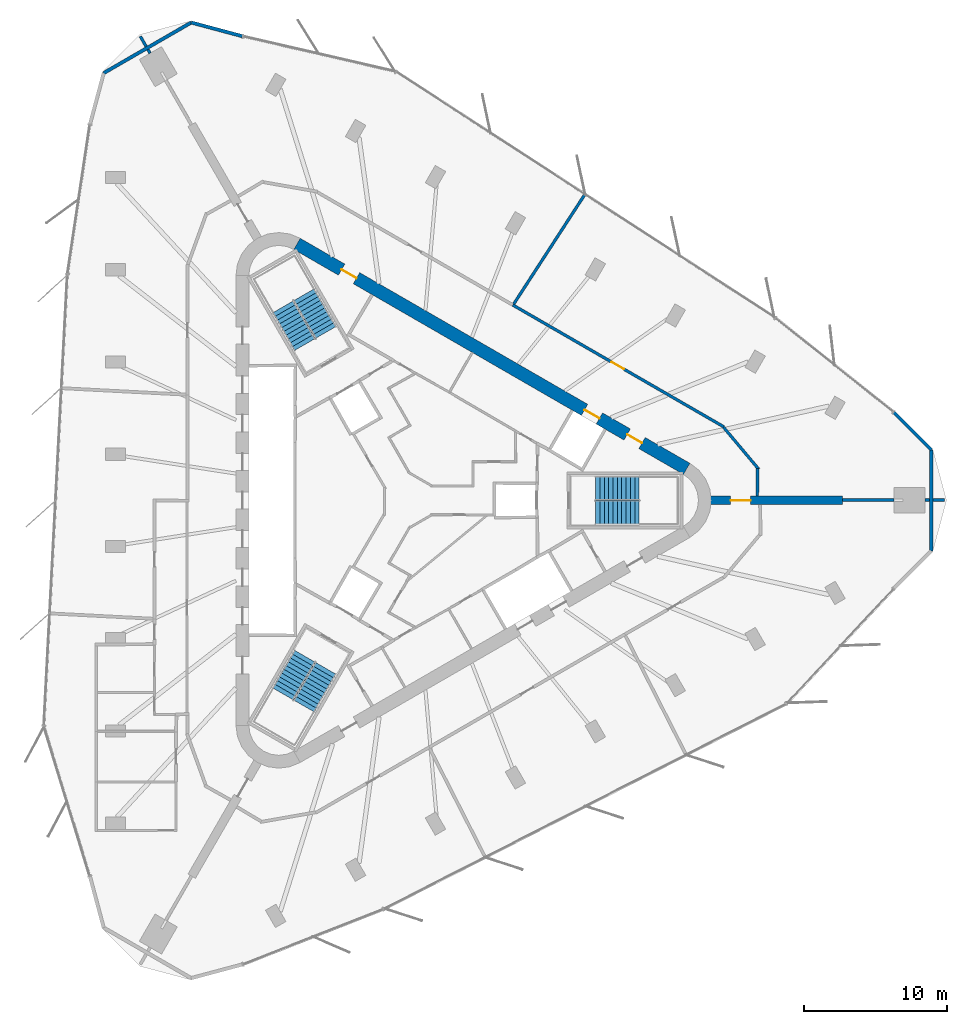
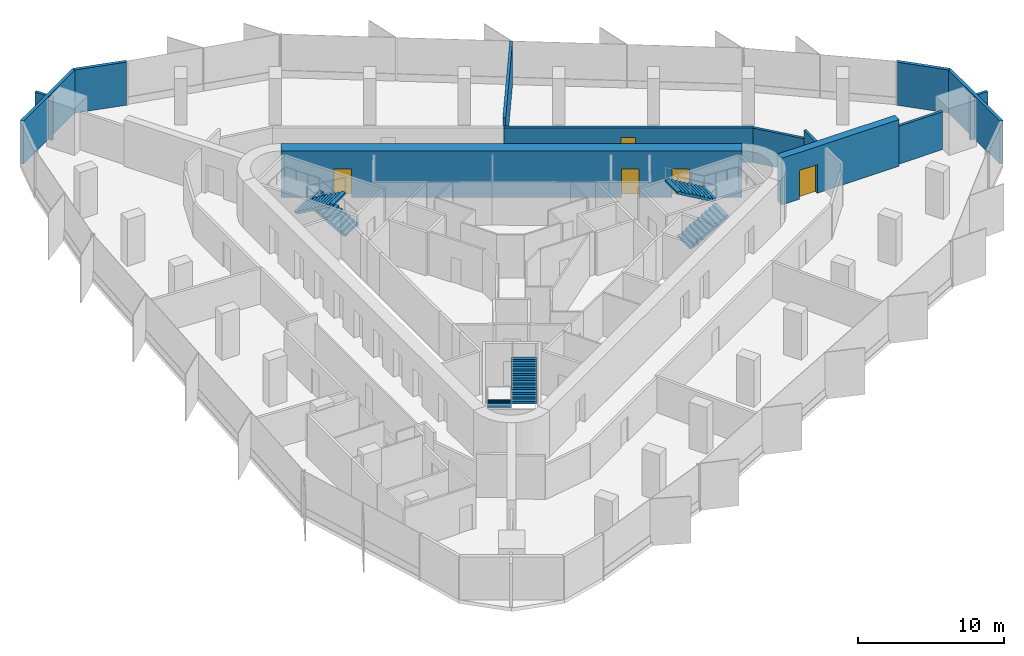
# One storey, part 12 of 13: 15 walls, 6 stair flights, 5 doors, 5 openings, 3 elements without a shape of their own.
"""IFC4 building model written with IfcOpenShell, lengths in metres."""

from ifc_helpers import new_model, si_unit, direction, frame, frame_2d, origin, place, context, subcontext, project, spatial, polyline, rectangle, outline, extrude, material, layer, layer_set, type_object, element, fill, aggregate, save


model = new_model("IFC4")

# Units and contexts
model_context = context("Model", 3, precision=1e-05, world=origin(), true_north=direction((0.0, 1.0)))
body_context = subcontext(model_context, "Body", "Model", "MODEL_VIEW")
ifc_project = project(units=[si_unit("LENGTHUNIT", "METRE"), si_unit("AREAUNIT", "SQUARE_METRE"), si_unit("VOLUMEUNIT", "CUBIC_METRE"), si_unit("PLANEANGLEUNIT", "RADIAN"), si_unit("MASSUNIT", "GRAM", prefix="KILO")], contexts=[model_context])

# Site, building, storey
site_placement = place(None, origin())
site = spatial("IfcSite", under=ifc_project, at=site_placement, CompositionType="ELEMENT")
building_placement = place(site_placement, origin())
building = spatial("IfcBuilding", under=site, at=building_placement, Name="Tanit Gate Tower", CompositionType="ELEMENT")
storey_placement = place(building_placement, frame((0.0, 0.0, 310.39990234375)))
storey = spatial("IfcBuildingStorey", under=building, at=storey_placement, Name="L69", CompositionType="ELEMENT", Elevation=310.39990234375)

# Wall, opening, door
ifc_material_1 = material(Name="Concrete C40/50", Category="concrete")
ifc_layer_1 = layer(ifc_material_1, 0.60009765625)
ifc_layer_set_1 = layer_set([ifc_layer_1], Name="BUTTRESS FIN 600 C40/50")
wall_type_1 = type_object("IfcWallType", Name="BUTTRESS FIN 600 C40/50", PredefinedType="SHEAR", material=ifc_layer_set_1)
wall_1_placement = place(storey_placement, frame((21.14990234375, 0.0, 0.0), z_axis=(0.0, 0.0, 1.0), x_axis=(1.0, 0.0, 0.0)))
wall_1 = element("IfcWall", 1, at=wall_1_placement, inside=storey, type_object=wall_type_1, Name="BUTTRESS FIN", PredefinedType="SHEAR", context=body_context, shape_type="SweptSolid", body=[
    extrude(rectangle(XDim=9.253662109375, YDim=0.60009765625, at=frame_2d((4.626953125, 0.0))), origin(), (0.0, 0.0, 1.0), 3.900146484375),
])
opening_1_placement = place(wall_1_placement, frame((1.39990234375, 0.0, 0.0)))
opening_1 = element("IfcOpeningElement", 2, at=opening_1_placement, cuts=wall_1, Name="Opening P14-S19-F-E-1", PredefinedType="OPENING", context=body_context, shape_type="SweptSolid", body=[
    extrude(rectangle(XDim=1.39990234375, YDim=2.39990234375, at=frame_2d((0.699951171875, 1.199951171875))), frame((0.0, 0.31005859375, 0.0), z_axis=(0.0, -1.0, 0.0), x_axis=(1.0, 0.0, 0.0)), (0.0, 0.0, 1.0), 0.6201171875),
])
ifc_material_2 = material(Name="Timber door leaf", Category="wood")
door_type_1 = type_object("IfcDoorType", Name="INT-DOOR-FIN-PAIR-1400", OperationType="NOTDEFINED", PredefinedType="NOTDEFINED", material=ifc_material_2)
door_1_placement = place(opening_1_placement, origin())
door_1 = element("IfcDoor", 3, at=door_1_placement, inside=storey, type_object=door_type_1, Name="Door P14-S19-F-E-1", OperationType="DOUBLE_DOOR_SINGLE_SWING", OverallHeight=2.39990234375, OverallWidth=1.39990234375, PredefinedType="NOTDEFINED", context=body_context, shape_type="SweptSolid", body=[
    extrude(rectangle(XDim=1.39990234375, YDim=2.39990234375, at=frame_2d((0.699951171875, 1.199951171875))), frame((0.0, 0.02490234375, 0.0), z_axis=(0.0, -1.0, 0.0), x_axis=(1.0, 0.0, 0.0)), (0.0, 0.0, 1.0), 0.050048828125),
])
fill(opening_1, door_1)

# Wall, openings, doors
ifc_material_3 = material(Name="Concrete C40/50", Category="concrete")
ifc_layer_2 = layer(ifc_material_3, 0.89990234375)
ifc_layer_set_2 = layer_set([ifc_layer_2], Name="CORE WALL 900 C40/50")
wall_type_2 = type_object("IfcWallType", Name="CORE WALL 900 C40/50", PredefinedType="SHEAR", material=ifc_layer_set_2)
wall_2_placement = place(storey_placement, frame((19.47509765625, 2.20849609375, 0.0), z_axis=(0.0, 0.0, 1.0), x_axis=(-0.866028369851, 0.499994862586, 0.0)))
wall_2 = element("IfcWall", 4, at=wall_2_placement, inside=storey, type_object=wall_type_2, Name="CORE WALL", PredefinedType="SHEAR", context=body_context, shape_type="SweptSolid", body=[
    extrude(rectangle(XDim=31.523193359375, YDim=0.89990234375, at=frame_2d((15.76171875, 0.0))), origin(), (0.0, 0.0, 1.0), 3.900146484375),
])
opening_2_placement = place(wall_2_placement, frame((7.0615234375, 0.0, 0.0)))
opening_2 = element("IfcOpeningElement", 5, at=opening_2_placement, cuts=wall_2, Name="Opening LDHL8-S19", PredefinedType="OPENING", context=body_context, shape_type="SweptSolid", body=[
    extrude(rectangle(XDim=1.199951171875, YDim=2.39990234375, at=frame_2d((0.60009765625, 1.199951171875))), frame((0.0, 0.4599609375, 0.0), z_axis=(0.0, -1.0, 0.0), x_axis=(1.0, 0.0, 0.0)), (0.0, 0.0, 1.0), 0.919921875),
])
opening_3_placement = place(wall_2_placement, frame((3.611572265625, 0.0, 0.0)))
opening_3 = element("IfcOpeningElement", 6, at=opening_3_placement, cuts=wall_2, Name="Opening F12-S19-FL1", PredefinedType="OPENING", context=body_context, shape_type="SweptSolid", body=[
    extrude(rectangle(XDim=1.199951171875, YDim=2.39990234375, at=frame_2d((0.60009765625, 1.199951171875))), frame((0.0, 0.4599609375, 0.0), z_axis=(0.0, -1.0, 0.0), x_axis=(1.0, 0.0, 0.0)), (0.0, 0.0, 1.0), 0.919921875),
])
opening_4_placement = place(wall_2_placement, frame((26.711669921875, 0.0, 0.0)))
opening_4 = element("IfcOpeningElement", 7, at=opening_4_placement, cuts=wall_2, Name="Opening F12-S19-S2", PredefinedType="OPENING", context=body_context, shape_type="SweptSolid", body=[
    extrude(rectangle(XDim=1.199951171875, YDim=2.39990234375, at=frame_2d((0.60009765625, 1.199951171875))), frame((0.0, 0.4599609375, 0.0), z_axis=(0.0, -1.0, 0.0), x_axis=(1.0, 0.0, 0.0)), (0.0, 0.0, 1.0), 0.919921875),
])
ifc_material_4 = material(Name="Fire-rated steel door leaf", Category="steel")
door_type_2 = type_object("IfcDoorType", Name="INT-DOOR-FIRE-LOBBY-1200", OperationType="NOTDEFINED", PredefinedType="USERDEFINED", material=ifc_material_4)
door_2_placement = place(opening_3_placement, origin())
door_2 = element("IfcDoor", 8, at=door_2_placement, inside=storey, type_object=door_type_2, Name="Door F12-S19-FL1", ObjectType="FIRE DOOR", OperationType="SINGLE_SWING_RIGHT", OverallHeight=2.39990234375, OverallWidth=1.199951171875, PredefinedType="USERDEFINED", context=body_context, shape_type="SweptSolid", body=[
    extrude(rectangle(XDim=1.199951171875, YDim=2.39990234375, at=frame_2d((0.60009765625, 1.199951171875))), frame((0.0, 0.02490234375, 0.0), z_axis=(0.0, -1.0, 0.0), x_axis=(1.0, 0.0, 0.0)), (0.0, 0.0, 1.0), 0.050048828125),
])
fill(opening_3, door_2)
door_3_placement = place(opening_4_placement, origin())
door_3 = element("IfcDoor", 9, at=door_3_placement, inside=storey, type_object=door_type_2, Name="Door F12-S19-S2", ObjectType="FIRE DOOR", OperationType="SINGLE_SWING_LEFT", OverallHeight=2.39990234375, OverallWidth=1.199951171875, PredefinedType="USERDEFINED", context=body_context, shape_type="SweptSolid", body=[
    extrude(rectangle(XDim=1.199951171875, YDim=2.39990234375, at=frame_2d((0.60009765625, 1.199951171875))), frame((0.0, 0.02490234375, 0.0), z_axis=(0.0, -1.0, 0.0), x_axis=(1.0, 0.0, 0.0)), (0.0, 0.0, 1.0), 0.050048828125),
])
fill(opening_4, door_3)
ifc_material_5 = material(Name="Stainless steel sliding door leaf", Category="steel")
door_type_3 = type_object("IfcDoorType", Name="INT-DOOR-LANDING-1200", OperationType="NOTDEFINED", PredefinedType="USERDEFINED", material=ifc_material_5)
door_4_placement = place(opening_2_placement, origin())
door_4 = element("IfcDoor", 10, at=door_4_placement, inside=storey, type_object=door_type_3, Name="Door LDHL8-S19", ObjectType="LANDING DOOR", OperationType="SLIDING_TO_LEFT", OverallHeight=2.39990234375, OverallWidth=1.199951171875, PredefinedType="USERDEFINED", context=body_context, shape_type="SweptSolid", body=[
    extrude(rectangle(XDim=1.199951171875, YDim=2.39990234375, at=frame_2d((0.60009765625, 1.199951171875))), frame((0.0, 0.02490234375, 0.0), z_axis=(0.0, -1.0, 0.0), x_axis=(1.0, 0.0, 0.0)), (0.0, 0.0, 1.0), 0.050048828125),
])
fill(opening_2, door_4)

# Walls
ifc_material_6 = material(Name="Concrete C30/37 with bronze anodised aluminium cladding", Category="concrete")
ifc_layer_3 = layer(ifc_material_6, 0.239990234375)
ifc_layer_set_3 = layer_set([ifc_layer_3], Name="Facade wall bronze clad 240")
wall_type_3 = type_object("IfcWallType", Name="Facade wall bronze clad 240", PredefinedType="SOLIDWALL", material=ifc_layer_set_3)
wall_3_placement = place(storey_placement, frame((-11.654296875, 32.517822265625, 0.0), z_axis=(0.0, 0.0, 1.0), x_axis=(-0.965928052649, 0.258810736071, 0.0)))
element("IfcWall", 11, at=wall_3_placement, inside=storey, type_object=wall_type_3, Name="Bronze-clad facade wall L69 NW.arc1", PredefinedType="SOLIDWALL", context=body_context, shape_type="SweptSolid", body=[
    extrude(rectangle(XDim=3.705322265625, YDim=0.239990234375, at=frame_2d((1.8525390625, 0.0))), origin(), (0.0, 0.0, 1.0), 3.60009765625),
])
wall_4_placement = place(storey_placement, frame((-15.2333984375, 33.476806640625, 0.0), z_axis=(0.0, 0.0, 1.0), x_axis=(-0.866031377081, -0.499989653803, 0.0)))
element("IfcWall", 12, at=wall_4_placement, inside=storey, type_object=wall_type_3, Name="Bronze-clad facade wall L69 NW.arc2", PredefinedType="SOLIDWALL", context=body_context, shape_type="SweptSolid", body=[
    extrude(rectangle(XDim=7.092041015625, YDim=0.239990234375, at=frame_2d((3.5458984375, 0.0))), origin(), (0.0, 0.0, 1.0), 3.60009765625),
])
wall_5_placement = place(storey_placement, frame((36.6083984375, -3.5458984375, 0.0), z_axis=(0.0, 0.0, 1.0), x_axis=(0.0, 1.0, 0.0)))
element("IfcWall", 13, at=wall_5_placement, inside=storey, type_object=wall_type_3, Name="Bronze-clad facade wall L69 E.arc2", PredefinedType="SOLIDWALL", context=body_context, shape_type="SweptSolid", body=[
    extrude(rectangle(XDim=7.091796875, YDim=0.239990234375, at=frame_2d((3.5458984375, 0.0))), origin(), (0.0, 0.0, 1.0), 3.60009765625),
])
wall_6_placement = place(storey_placement, frame((36.6083984375, 3.5458984375, 0.0), z_axis=(0.0, 0.0, 1.0), x_axis=(-0.707106781187, 0.707106781187, 0.0)))
element("IfcWall", 14, at=wall_6_placement, inside=storey, type_object=wall_type_3, Name="Bronze-clad facade wall L69 E.arc3", PredefinedType="SOLIDWALL", context=body_context, shape_type="SweptSolid", body=[
    extrude(rectangle(XDim=3.696533203125, YDim=0.239990234375, at=frame_2d((1.84814453125, 0.0))), origin(), (0.0, 0.0, 1.0), 3.60009765625),
])

# Wall, opening, door
ifc_material_7 = material(Name="Fire-rated gypsum board partition")
ifc_layer_4 = layer(ifc_material_7, 0.199951171875)
ifc_layer_set_4 = layer_set([ifc_layer_4], Name="INT-WALL-COMPARTMENT")
wall_type_4 = type_object("IfcWallType", Name="INT-WALL-COMPARTMENT", PredefinedType="PARTITIONING", material=ifc_layer_set_4)
wall_7_placement = place(storey_placement, frame((22.074462890625, 5.153076171875, 0.0), z_axis=(0.0, 0.0, 1.0), x_axis=(-0.866024844342, 0.500000968981, 0.0)))
wall_7 = element("IfcWall", 15, at=wall_7_placement, inside=storey, type_object=wall_type_4, Name="Wall Compartment W107", PredefinedType="PARTITIONING", context=body_context, shape_type="SweptSolid", body=[
    extrude(rectangle(XDim=17.07275390625, YDim=0.199951171875, at=frame_2d((8.536376953125, 0.0))), origin(), (0.0, 0.0, 1.0), 2.880126953125),
])
opening_5_placement = place(wall_7_placement, frame((8.074951171875, 0.0, 0.0)))
opening_5 = element("IfcOpeningElement", 16, at=opening_5_placement, cuts=wall_7, Name="Opening F10-S19-29", PredefinedType="OPENING", context=body_context, shape_type="SweptSolid", body=[
    extrude(rectangle(XDim=1.0, YDim=2.10009765625, at=frame_2d((0.5, 1.050048828125))), frame((0.0, 0.10986328125, 0.0), z_axis=(0.0, -1.0, 0.0), x_axis=(1.0, 0.0, 0.0)), (0.0, 0.0, 1.0), 0.219970703125),
])
ifc_material_8 = material(Name="Fire-rated steel door leaf", Category="steel")
door_type_4 = type_object("IfcDoorType", Name="INT-DOOR-FIRE-1000", OperationType="NOTDEFINED", PredefinedType="USERDEFINED", material=ifc_material_8)
door_5_placement = place(opening_5_placement, origin())
door_5 = element("IfcDoor", 17, at=door_5_placement, inside=storey, type_object=door_type_4, Name="Door F10-S19-29", ObjectType="FIRE DOOR", OperationType="SINGLE_SWING_RIGHT", OverallHeight=2.10009765625, OverallWidth=1.0, PredefinedType="USERDEFINED", context=body_context, shape_type="SweptSolid", body=[
    extrude(rectangle(XDim=1.0, YDim=2.10009765625, at=frame_2d((0.5, 1.050048828125))), frame((0.0, 0.02490234375, 0.0), z_axis=(0.0, -1.0, 0.0), x_axis=(1.0, 0.0, 0.0)), (0.0, 0.0, 1.0), 0.050048828125),
])
fill(opening_5, door_5)

# Walls
wall_8_placement = place(storey_placement, frame((24.520751953125, 2.1845703125, 0.0), z_axis=(0.0, 0.0, 1.0), x_axis=(-0.642781993054, 0.766049155998, 0.0)))
element("IfcWall", 18, at=wall_8_placement, inside=storey, type_object=wall_type_4, Name="Wall Compartment W108", PredefinedType="PARTITIONING", context=body_context, shape_type="SweptSolid", body=[
    extrude(rectangle(XDim=3.84033203125, YDim=0.199951171875, at=frame_2d((1.920166015625, 0.0))), origin(), (0.0, 0.0, 1.0), 2.880126953125),
])
wall_9_placement = place(storey_placement, frame((24.420166015625, 0.300048828125, 0.0), z_axis=(0.0, 0.0, 1.0), x_axis=(0.013193472226, 0.999912962358, 0.0)))
element("IfcWall", 19, at=wall_9_placement, inside=storey, type_object=wall_type_4, Name="Wall Compartment W109", PredefinedType="PARTITIONING", context=body_context, shape_type="SweptSolid", body=[
    extrude(rectangle(XDim=1.924560546875, YDim=0.199951171875, at=frame_2d((0.96240234375, 0.0))), origin(), (0.0, 0.0, 1.0), 3.60009765625),
])
wall_10_placement = place(storey_placement, frame((-18.80126953125, 32.5048828125, 0.0), z_axis=(0.0, 0.0, 1.0), x_axis=(0.499970888758, -0.866042210515, 0.0)))
element("IfcWall", 20, at=wall_10_placement, inside=storey, type_object=wall_type_4, Name="Wall Compartment W130", PredefinedType="PARTITIONING", context=body_context, shape_type="SweptSolid", body=[
    extrude(rectangle(XDim=0.822265625, YDim=0.199951171875, at=frame_2d((0.4111328125, 0.0))), origin(), (0.0, 0.0, 1.0), 3.60009765625),
])
wall_11_placement = place(storey_placement, frame((-18.270263671875, 31.5849609375, 0.0), z_axis=(0.0, 0.0, 1.0), x_axis=(0.500091252813, -0.865972712538, 0.0)))
element("IfcWall", 21, at=wall_11_placement, inside=storey, type_object=wall_type_4, Name="Wall Compartment W130x1", PredefinedType="PARTITIONING", context=body_context, shape_type="SweptSolid", body=[
    extrude(rectangle(XDim=0.3056640625, YDim=0.199951171875, at=frame_2d((0.15283203125, 0.0))), origin(), (0.0, 0.0, 1.0), 3.60009765625),
])
wall_12_placement = place(storey_placement, frame((7.36328125, 13.76220703125, 0.0), z_axis=(0.0, 0.0, 1.0), x_axis=(0.544349469572, 0.838858542888, 0.0)))
element("IfcWall", 22, at=wall_12_placement, inside=storey, type_object=wall_type_4, Name="Wall Compartment W132", PredefinedType="PARTITIONING", context=body_context, shape_type="SweptSolid", body=[
    extrude(rectangle(XDim=9.1494140625, YDim=0.199951171875, at=frame_2d((4.57470703125, 0.0))), origin(), (0.0, 0.0, 1.0), 3.60009765625),
])
wall_13_placement = place(storey_placement, frame((30.403564453125, 0.0185546875, 0.0), z_axis=(0.0, 0.0, 1.0), x_axis=(0.999994861514, 0.00320576758, 0.0)))
element("IfcWall", 23, at=wall_13_placement, inside=storey, type_object=wall_type_4, Name="Wall Compartment W133", PredefinedType="PARTITIONING", context=body_context, shape_type="SweptSolid", body=[
    extrude(rectangle(XDim=3.579345703125, YDim=0.199951171875, at=frame_2d((1.78955078125, 0.0))), origin(), (0.0, 0.0, 1.0), 3.170166015625),
])
wall_14_placement = place(storey_placement, frame((36.182861328125, 0.030029296875, 0.0), z_axis=(0.0, 0.0, 1.0), x_axis=(1.0, 0.0, 0.0)))
element("IfcWall", 24, at=wall_14_placement, inside=storey, type_object=wall_type_4, Name="Wall Compartment W134", PredefinedType="PARTITIONING", context=body_context, shape_type="SweptSolid", body=[
    extrude(rectangle(XDim=0.3056640625, YDim=0.199951171875, at=frame_2d((0.15283203125, 0.0))), origin(), (0.0, 0.0, 1.0), 3.60009765625),
])
wall_15_placement = place(storey_placement, frame((36.728515625, 0.030029296875, 0.0), z_axis=(0.0, 0.0, 1.0), x_axis=(1.0, 0.0, 0.0)))
element("IfcWall", 25, at=wall_15_placement, inside=storey, type_object=wall_type_4, Name="Wall Compartment W134x1", PredefinedType="PARTITIONING", context=body_context, shape_type="SweptSolid", body=[
    extrude(rectangle(XDim=0.822021484375, YDim=0.199951171875, at=frame_2d((0.4111328125, 0.0))), origin(), (0.0, 0.0, 1.0), 3.60009765625),
])

# Stair, stair flights
ifc_material_9 = material(Name="Concrete C40/50", Category="concrete")
stair_type = type_object("IfcStairType", Name="INT-STAIR-EXIT", PredefinedType="HALF_TURN_STAIR", material=ifc_material_9)
stair_1_placement = place(storey_placement, origin())
stair_1 = element("IfcStair", 26, at=stair_1_placement, inside=storey, type_object=stair_type, Name="L69 STAIR S1", PredefinedType="HALF_TURN_STAIR")
ifc_material_10 = material(Name="Concrete C40/50", Category="concrete")
stair_flight_type = type_object("IfcStairFlightType", Name="INT-STAIR-FLIGHT", PredefinedType="STRAIGHT", material=ifc_material_10)
stair_flight_1_placement = place(storey_placement, frame((13.094970703125, -0.8525390625, 0.0), z_axis=(0.0, 0.0, 1.0), x_axis=(1.0, 0.0, 0.0)))
stair_flight_1 = element("IfcStairFlight", 27, at=stair_flight_1_placement, type_object=stair_flight_type, Name="S1 flight 1", NumberOfRisers=11, NumberOfTreads=10, PredefinedType="STRAIGHT", RiserHeight=0.177272727, TreadLength=0.3051, context=body_context, shape_type="SweptSolid", body=[
    extrude(outline(polyline([(0.0, 0.0), (0.0, 0.17724609375), (0.30517578125, 0.17724609375), (0.30517578125, 0.3544921875), (0.610107421875, 0.3544921875), (0.610107421875, 0.53173828125), (0.915283203125, 0.53173828125), (0.915283203125, 0.708984375), (1.220458984375, 0.708984375), (1.220458984375, 0.886474609375), (1.525390625, 0.886474609375), (1.525390625, 1.063720703125), (1.83056640625, 1.063720703125), (1.83056640625, 1.240966796875), (2.1357421875, 1.240966796875), (2.1357421875, 1.418212890625), (2.44091796875, 1.418212890625), (2.44091796875, 1.595458984375), (2.745849609375, 1.595458984375), (2.745849609375, 1.772705078125), (3.051025390625, 1.772705078125), (3.051025390625, 1.949951171875), (3.051025390625, 1.599365234375), (0.29833984375, 0.0), (0.0, 0.0)])), frame((0.0, 0.84765625, 0.0), z_axis=(0.0, -1.0, 0.0), x_axis=(1.0, 0.0, 0.0)), (0.0, 0.0, 1.0), 1.695068359375),
])
stair_flight_2_placement = place(storey_placement, frame((16.14599609375, 0.8525390625, 1.9501953125), z_axis=(0.0, 0.0, 1.0), x_axis=(-1.0, 0.0, 0.0)))
stair_flight_2 = element("IfcStairFlight", 28, at=stair_flight_2_placement, type_object=stair_flight_type, Name="S1 flight 2", NumberOfRisers=11, NumberOfTreads=10, PredefinedType="STRAIGHT", RiserHeight=0.177272727, TreadLength=0.3051, context=body_context, shape_type="SweptSolid", body=[
    extrude(outline(polyline([(0.0, 0.0), (0.0, 0.17724609375), (0.30517578125, 0.17724609375), (0.30517578125, 0.3544921875), (0.610107421875, 0.3544921875), (0.610107421875, 0.53173828125), (0.915283203125, 0.53173828125), (0.915283203125, 0.708984375), (1.220458984375, 0.708984375), (1.220458984375, 0.886474609375), (1.525390625, 0.886474609375), (1.525390625, 1.063720703125), (1.83056640625, 1.063720703125), (1.83056640625, 1.240966796875), (2.1357421875, 1.240966796875), (2.1357421875, 1.418212890625), (2.44091796875, 1.418212890625), (2.44091796875, 1.595458984375), (2.745849609375, 1.595458984375), (2.745849609375, 1.772705078125), (3.051025390625, 1.772705078125), (3.051025390625, 1.949951171875), (3.051025390625, 1.599365234375), (0.29833984375, 0.0), (0.0, 0.0)])), frame((0.0, 0.84765625, 0.0), z_axis=(0.0, -1.0, 0.0), x_axis=(1.0, 0.0, 0.0)), (0.0, 0.0, 1.0), 1.695068359375),
])
aggregate(stair_1, [stair_flight_1, stair_flight_2])

stair_2_placement = place(storey_placement, origin())
stair_2 = element("IfcStair", 29, at=stair_2_placement, inside=storey, type_object=stair_type, Name="L69 STAIR S2", PredefinedType="HALF_TURN_STAIR")
stair_flight_3_placement = place(storey_placement, frame((-5.808349609375, 11.766357421875, 0.0), z_axis=(0.0, 0.0, 1.0), x_axis=(-0.5, 0.866025403784, 0.0)))
stair_flight_3 = element("IfcStairFlight", 30, at=stair_flight_3_placement, type_object=stair_flight_type, Name="S2 flight 1", NumberOfRisers=11, NumberOfTreads=10, PredefinedType="STRAIGHT", RiserHeight=0.177272727, TreadLength=0.30492, context=body_context, shape_type="SweptSolid", body=[
    extrude(outline(polyline([(0.0, 0.0), (0.0, 0.17724609375), (0.304931640625, 0.17724609375), (0.304931640625, 0.3544921875), (0.60986328125, 0.3544921875), (0.60986328125, 0.53173828125), (0.914794921875, 0.53173828125), (0.914794921875, 0.708984375), (1.2197265625, 0.708984375), (1.2197265625, 0.886474609375), (1.524658203125, 0.886474609375), (1.524658203125, 1.063720703125), (1.82958984375, 1.063720703125), (1.82958984375, 1.240966796875), (2.134521484375, 1.240966796875), (2.134521484375, 1.418212890625), (2.439453125, 1.418212890625), (2.439453125, 1.595458984375), (2.744384765625, 1.595458984375), (2.744384765625, 1.772705078125), (3.04931640625, 1.772705078125), (3.04931640625, 1.949951171875), (3.04931640625, 1.599365234375), (0.29833984375, 0.0), (0.0, 0.0)])), frame((0.0, 0.84716796875, 0.0), z_axis=(0.0, -1.0, 0.0), x_axis=(1.0, 0.0, 0.0)), (0.0, 0.0, 1.0), 1.694091796875),
])
stair_flight_4_placement = place(storey_placement, frame((-8.810302734375, 13.553955078125, 1.9501953125), z_axis=(0.0, 0.0, 1.0), x_axis=(0.5, -0.866025403784, 0.0)))
stair_flight_4 = element("IfcStairFlight", 31, at=stair_flight_4_placement, type_object=stair_flight_type, Name="S2 flight 2", NumberOfRisers=11, NumberOfTreads=10, PredefinedType="STRAIGHT", RiserHeight=0.177272727, TreadLength=0.30492, context=body_context, shape_type="SweptSolid", body=[
    extrude(outline(polyline([(0.0, 0.0), (0.0, 0.17724609375), (0.304931640625, 0.17724609375), (0.304931640625, 0.3544921875), (0.60986328125, 0.3544921875), (0.60986328125, 0.53173828125), (0.914794921875, 0.53173828125), (0.914794921875, 0.708984375), (1.2197265625, 0.708984375), (1.2197265625, 0.886474609375), (1.524658203125, 0.886474609375), (1.524658203125, 1.063720703125), (1.82958984375, 1.063720703125), (1.82958984375, 1.240966796875), (2.134521484375, 1.240966796875), (2.134521484375, 1.418212890625), (2.439453125, 1.418212890625), (2.439453125, 1.595458984375), (2.744384765625, 1.595458984375), (2.744384765625, 1.772705078125), (3.04931640625, 1.772705078125), (3.04931640625, 1.949951171875), (3.04931640625, 1.599365234375), (0.29833984375, 0.0), (0.0, 0.0)])), frame((0.0, 0.84716796875, 0.0), z_axis=(0.0, -1.0, 0.0), x_axis=(1.0, 0.0, 0.0)), (0.0, 0.0, 1.0), 1.694091796875),
])
aggregate(stair_2, [stair_flight_3, stair_flight_4])

stair_3_placement = place(storey_placement, origin())
stair_3 = element("IfcStair", 32, at=stair_3_placement, inside=storey, type_object=stair_type, Name="L69 STAIR S3", PredefinedType="HALF_TURN_STAIR")
stair_flight_5_placement = place(storey_placement, frame((-7.285888671875, -10.914306640625, 0.0), z_axis=(0.0, 0.0, 1.0), x_axis=(-0.5, -0.866025403784, 0.0)))
stair_flight_5 = element("IfcStairFlight", 33, at=stair_flight_5_placement, type_object=stair_flight_type, Name="S3 flight 1", NumberOfRisers=11, NumberOfTreads=10, PredefinedType="STRAIGHT", RiserHeight=0.177272727, TreadLength=0.3051, context=body_context, shape_type="SweptSolid", body=[
    extrude(outline(polyline([(0.0, 0.0), (0.0, 0.17724609375), (0.30517578125, 0.17724609375), (0.30517578125, 0.3544921875), (0.610107421875, 0.3544921875), (0.610107421875, 0.53173828125), (0.915283203125, 0.53173828125), (0.915283203125, 0.708984375), (1.220458984375, 0.708984375), (1.220458984375, 0.886474609375), (1.525390625, 0.886474609375), (1.525390625, 1.063720703125), (1.83056640625, 1.063720703125), (1.83056640625, 1.240966796875), (2.1357421875, 1.240966796875), (2.1357421875, 1.418212890625), (2.44091796875, 1.418212890625), (2.44091796875, 1.595458984375), (2.745849609375, 1.595458984375), (2.745849609375, 1.772705078125), (3.051025390625, 1.772705078125), (3.051025390625, 1.949951171875), (3.051025390625, 1.599365234375), (0.29833984375, 0.0), (0.0, 0.0)])), frame((0.0, 0.84765625, 0.0), z_axis=(0.0, -1.0, 0.0), x_axis=(1.0, 0.0, 0.0)), (0.0, 0.0, 1.0), 1.695068359375),
])
stair_flight_6_placement = place(storey_placement, frame((-7.334716796875, -14.4091796875, 1.9501953125), z_axis=(0.0, 0.0, 1.0), x_axis=(0.5, 0.866025403784, 0.0)))
stair_flight_6 = element("IfcStairFlight", 34, at=stair_flight_6_placement, type_object=stair_flight_type, Name="S3 flight 2", NumberOfRisers=11, NumberOfTreads=10, PredefinedType="STRAIGHT", RiserHeight=0.177272727, TreadLength=0.3051, context=body_context, shape_type="SweptSolid", body=[
    extrude(outline(polyline([(0.0, 0.0), (0.0, 0.17724609375), (0.30517578125, 0.17724609375), (0.30517578125, 0.3544921875), (0.610107421875, 0.3544921875), (0.610107421875, 0.53173828125), (0.915283203125, 0.53173828125), (0.915283203125, 0.708984375), (1.220458984375, 0.708984375), (1.220458984375, 0.886474609375), (1.525390625, 0.886474609375), (1.525390625, 1.063720703125), (1.83056640625, 1.063720703125), (1.83056640625, 1.240966796875), (2.1357421875, 1.240966796875), (2.1357421875, 1.418212890625), (2.44091796875, 1.418212890625), (2.44091796875, 1.595458984375), (2.745849609375, 1.595458984375), (2.745849609375, 1.772705078125), (3.051025390625, 1.772705078125), (3.051025390625, 1.949951171875), (3.051025390625, 1.599365234375), (0.29833984375, 0.0), (0.0, 0.0)])), frame((0.0, 0.84765625, 0.0), z_axis=(0.0, -1.0, 0.0), x_axis=(1.0, 0.0, 0.0)), (0.0, 0.0, 1.0), 1.695068359375),
])
aggregate(stair_3, [stair_flight_5, stair_flight_6])

save(model, "model.ifc")
